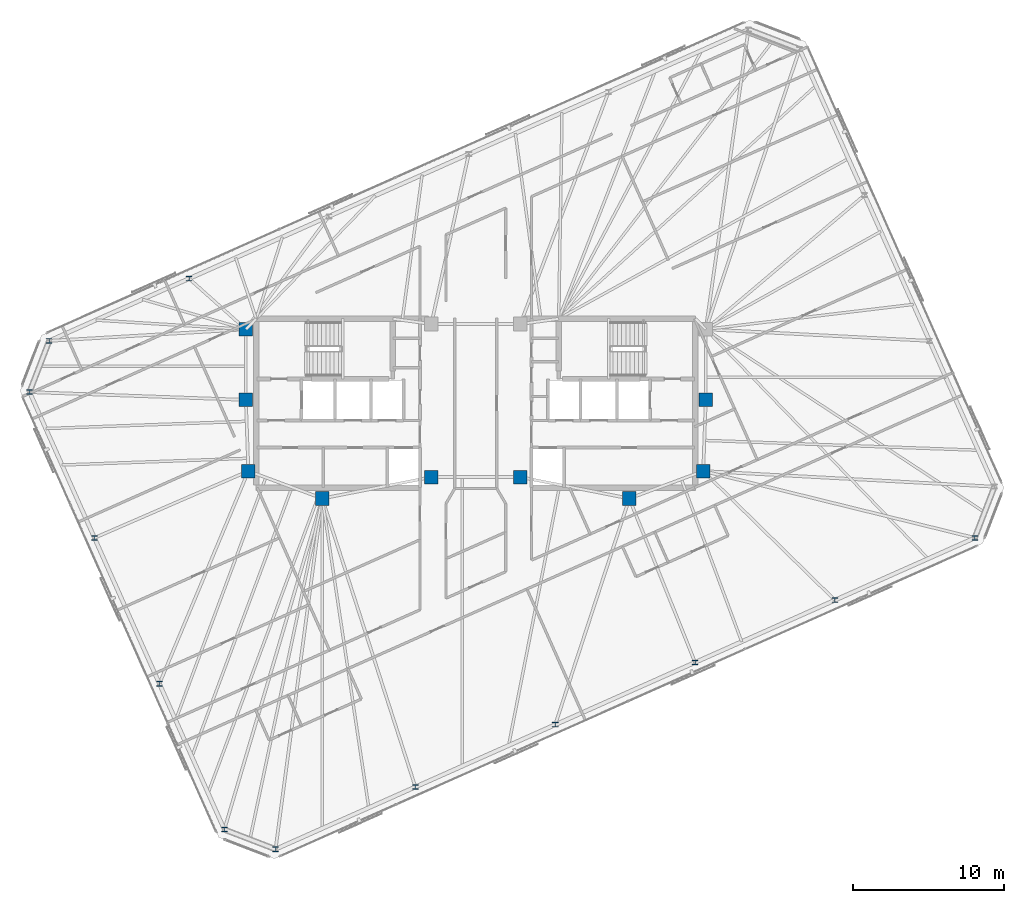
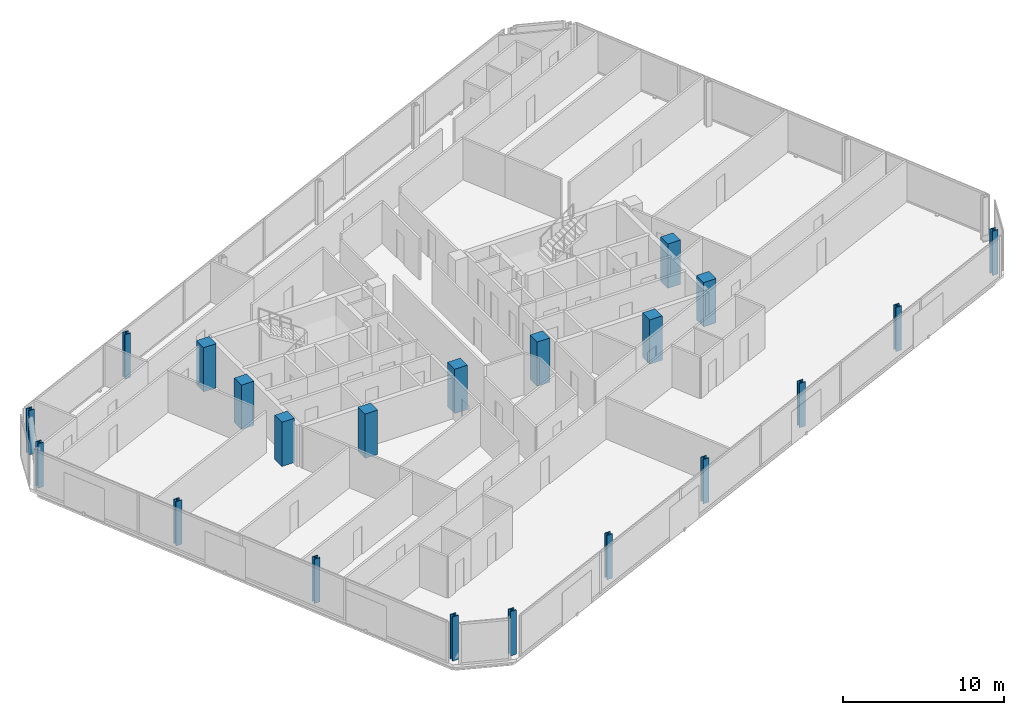
# One storey, part 1 of 18: 21 columns.
"""IFC4 building model written with IfcOpenShell, lengths in metres."""

import ifcopenshell
import ifcopenshell.guid

model = None  # the IFC model being written
_history = None  # IfcOwnerHistory: only IFC2X3 demands one
_inside = {}  # id of a spatial element -> (the spatial element, [elements in it])
_under = {}  # id of a project, library or spatial element -> (it, [spatial elements below it])
_declared = {}  # id of a project -> (the project, [libraries it declares])
_typed = {}  # id of a type object -> (the type object, [elements of that type])
_made_of = {}  # id of a material, layer set ... -> (it, [elements and type objects made of it])


def new_model(schema):
    """Start an empty IFC model of exactly this schema.

    Asked for "IFC4X3", IfcOpenShell would pick the latest addendum, in which some entities
    have other attributes; the version numbers below select the first issue.
    IFC2X3 requires an IfcOwnerHistory on every rooted entity: one is made here for all.
    """
    global model, _history
    if schema == "IFC4X3":
        model = ifcopenshell.file(schema_version=(4, 3, 0, 0))
    else:
        model = ifcopenshell.file(schema=schema)
    _inside.clear()
    _under.clear()
    _declared.clear()
    _typed.clear()
    _made_of.clear()
    _history = None
    if model.schema == "IFC2X3":
        org = make("IfcOrganization", Name="unknown")
        user = make(
            "IfcPersonAndOrganization",
            ThePerson=make("IfcPerson", FamilyName="unknown"),
            TheOrganization=org,
        )
        app = make(
            "IfcApplication",
            ApplicationDeveloper=org,
            Version="unknown",
            ApplicationFullName="unknown",
            ApplicationIdentifier="unknown",
        )
        _history = make(
            "IfcOwnerHistory",
            OwningUser=user,
            OwningApplication=app,
            ChangeAction="ADDED",
            CreationDate=0,
        )
    return model


def make(cls, **values):
    """One entity of the class cls with the attributes given. An attribute that is None is left unset."""
    return model.create_entity(
        cls, **{name: value for name, value in values.items() if value is not None}
    )


def rooted(cls, **values):
    """An entity with a GlobalId (a new one), such as an element, a storey or a relation."""
    return make(cls, GlobalId=ifcopenshell.guid.new(), OwnerHistory=_history, **values)


def si_unit(unit_type, name, prefix=None):
    """IfcSIUnit, for example si_unit("LENGTHUNIT", "METRE", prefix="MILLI")."""
    return make("IfcSIUnit", UnitType=unit_type, Prefix=prefix, Name=name)


def assignment(units):
    """IfcUnitAssignment: the units of a project."""
    return None if units is None else make("IfcUnitAssignment", Units=units)


def point(xyz):
    """IfcCartesianPoint."""
    return None if xyz is None else make("IfcCartesianPoint", Coordinates=xyz)


def direction(xyz):
    """IfcDirection."""
    return None if xyz is None else make("IfcDirection", DirectionRatios=xyz)


def frame(location, z_axis=None, x_axis=None):
    """IfcAxis2Placement3D, a coordinate frame: its origin and axes. An axis left out is left unset."""
    return make(
        "IfcAxis2Placement3D",
        Location=point(location),
        Axis=direction(z_axis),
        RefDirection=direction(x_axis),
    )


def frame_2d(location, x_axis=None):
    """IfcAxis2Placement2D, a coordinate frame in the plane: its origin and x axis."""
    return make(
        "IfcAxis2Placement2D", Location=point(location), RefDirection=direction(x_axis)
    )


def origin():
    """The frame at (0, 0, 0) with its axes left unset."""
    return frame((0.0, 0.0, 0.0))


def origin_2d():
    """The frame at (0, 0) in the plane with its x axis left unset."""
    return frame_2d((0.0, 0.0))


def place(relative_to, where):
    """IfcLocalPlacement: puts the frame where relative to a parent placement (None: the world)."""
    return make(
        "IfcLocalPlacement", PlacementRelTo=relative_to, RelativePlacement=where
    )


def context(
    kind, dimensions, precision=None, world=None, true_north=None, identifier=None
):
    """IfcGeometricRepresentationContext, for example the 3D "Model" context."""
    return make(
        "IfcGeometricRepresentationContext",
        ContextIdentifier=identifier,
        ContextType=kind,
        CoordinateSpaceDimension=dimensions,
        Precision=precision,
        WorldCoordinateSystem=world,
        TrueNorth=true_north,
    )


def subcontext(parent, identifier, kind, view, scale=None):
    """IfcGeometricRepresentationSubContext, for example "Body" below "Model"."""
    return make(
        "IfcGeometricRepresentationSubContext",
        ContextIdentifier=identifier,
        ContextType=kind,
        ParentContext=parent,
        TargetScale=scale,
        TargetView=view,
    )


def project(units=None, contexts=None):
    """IfcProject with its units and contexts."""
    return rooted(
        "IfcProject",
        Name="project",
        RepresentationContexts=contexts,
        UnitsInContext=assignment(units),
    )


def spatial(cls, under=None, at=None, **own):
    """A site, building, storey or space (cls), placed at a placement, below another one or the project."""
    s = rooted(cls, ObjectPlacement=at, **own)
    if under is not None:
        _under.setdefault(under.id(), (under, []))[1].append(s)
    return s


def profile(cls, at=None, kind="AREA", **sizes):
    """A parametric profile (cls). Its sizes go by their IFC names, for example OverallWidth=200.0."""
    return make(cls, ProfileType=kind, Position=at, **sizes)


def rectangle(**sizes):
    """IfcRectangleProfileDef."""
    return profile("IfcRectangleProfileDef", **sizes)


def i_section(**sizes):
    """IfcIShapeProfileDef."""
    return profile("IfcIShapeProfileDef", **sizes)


def extrude(swept, where, along, depth):
    """IfcExtrudedAreaSolid: the profile swept, set in the frame where, extruded along a direction by depth."""
    return make(
        "IfcExtrudedAreaSolid",
        SweptArea=swept,
        Position=where,
        ExtrudedDirection=direction(along),
        Depth=depth,
    )


def shape(context_of_items, identifier, shape_type, items):
    """IfcShapeRepresentation: the items that make up one representation, for example the "Body"."""
    return make(
        "IfcShapeRepresentation",
        ContextOfItems=context_of_items,
        RepresentationIdentifier=identifier,
        RepresentationType=shape_type,
        Items=items,
    )


def material(Name=None, Category=None):
    """IfcMaterial."""
    return make("IfcMaterial", Name=Name, Category=Category)


def material_profile(
    of_material, cross_section, Name=None, Category=None, Priority=None
):
    """IfcMaterialProfile: a cross section and its material."""
    return make(
        "IfcMaterialProfile",
        Name=Name,
        Material=of_material,
        Profile=cross_section,
        Priority=Priority,
        Category=Category,
    )


def profile_set(profiles, Name=None, composite=None):
    """IfcMaterialProfileSet."""
    return make(
        "IfcMaterialProfileSet",
        Name=Name,
        MaterialProfiles=profiles,
        CompositeProfile=composite,
    )


def made_of(thing, what):
    """Note that an element or type object is made of a material, layer set ...; save() writes the relation."""
    if what is not None:
        _made_of.setdefault(what.id(), (what, []))[1].append(thing)
    return thing


def type_object(cls, material=None, **own):
    """A type object (cls), such as IfcWallType, which elements share."""
    return made_of(rooted(cls, **own), material)


def element(
    cls,
    number,
    at=None,
    inside=None,
    cuts=None,
    type_object=None,
    material=None,
    context=None,
    identifier="Body",
    shape_type=None,
    held_by="IfcProductDefinitionShape",
    body=None,
    shapes=None,
    **own,
):
    """One element of the class cls, such as IfcWall. Its Tag is "e" and its number.

    at: its placement. inside: the storey or other place that contains it. cuts: it is an
    opening in that element (IfcRelVoidsElement). A single representation is given by context,
    identifier, shape_type and body (its items); several are given by shapes. held_by: the class
    of the entity that holds the representations. save() writes the other relations.
    """
    e = rooted(cls, Tag="e%d" % number, ObjectPlacement=at, **own)
    if body is not None:
        shapes = [shape(context, identifier, shape_type, body)]
    if shapes is not None:
        e.Representation = make(held_by, Representations=shapes)
    if inside is not None:
        _inside.setdefault(inside.id(), (inside, []))[1].append(e)
    if cuts is not None:
        rooted(
            "IfcRelVoidsElement", RelatingBuildingElement=cuts, RelatedOpeningElement=e
        )
    if type_object is not None:
        _typed.setdefault(type_object.id(), (type_object, []))[1].append(e)
    return made_of(e, material)


def aggregate(whole, parts):
    """IfcRelAggregates: a whole, such as a stair, and the parts it consists of."""
    return rooted("IfcRelAggregates", RelatingObject=whole, RelatedObjects=parts)


def save(model, path):
    """Write the relations noted so far, then the file.

    IfcRelAggregates (storeys below a building ...), IfcRelContainedInSpatialStructure (elements
    in a storey), IfcRelDefinesByType, IfcRelAssociatesMaterial and IfcRelDeclares: one each for
    every whole, place, type object, material and project.
    """
    for whole, parts in _under.values():
        aggregate(whole, parts)
    for where, things in _inside.values():
        rooted(
            "IfcRelContainedInSpatialStructure",
            RelatedElements=things,
            RelatingStructure=where,
        )
    for kind, things in _typed.values():
        rooted("IfcRelDefinesByType", RelatedObjects=things, RelatingType=kind)
    for what, things in _made_of.values():
        rooted("IfcRelAssociatesMaterial", RelatedObjects=things, RelatingMaterial=what)
    for by, libraries in _declared.values():
        rooted("IfcRelDeclares", RelatingContext=by, RelatedDefinitions=libraries)
    model.write(path)


model = new_model("IFC4")

# Units and contexts
model_context = context("Model", 3, precision=1e-05, world=origin(), true_north=direction((0.0, 1.0)))
body_context = subcontext(model_context, "Body", "Model", "MODEL_VIEW")
ifc_project = project(units=[si_unit("LENGTHUNIT", "METRE"), si_unit("AREAUNIT", "SQUARE_METRE"), si_unit("VOLUMEUNIT", "CUBIC_METRE"), si_unit("PLANEANGLEUNIT", "RADIAN"), si_unit("MASSUNIT", "GRAM", prefix="KILO")], contexts=[model_context])

# Site, building, storey
site_placement = place(None, origin())
site = spatial("IfcSite", under=ifc_project, at=site_placement, CompositionType="ELEMENT")
building_placement = place(site_placement, origin())
building = spatial("IfcBuilding", under=site, at=building_placement, Name="Menara Jurai Vektor", CompositionType="ELEMENT")
storey_placement = place(building_placement, frame((0.0, 0.0, 285.25)))
storey = spatial("IfcBuildingStorey", under=building, at=storey_placement, Name="L76", CompositionType="ELEMENT", Elevation=285.25)

# Columns
ifc_material_1 = material(Name="Concrete C50/60", Category="concrete")
ifc_material_profile_1 = material_profile(ifc_material_1, rectangle(XDim=0.89990234375, YDim=0.89990234375, at=origin_2d()), Name="RC 900x900")
ifc_profile_set_1 = profile_set([ifc_material_profile_1], Name="Concrete C50/60")
column_type_1 = type_object("IfcColumnType", Name="STR-COL-RC900", PredefinedType="COLUMN", material=ifc_profile_set_1)
for number, where, z_axis, x_axis, name in (
    (1, (-15.25, 4.89990234375, 0.0), (0.0, 0.0, 1.0), (1.0, 0.0, 0.0), "Core Spine Column CW-NW L76"),
    (2, (-15.25, 0.219970703125, 0.0), (0.0, 0.0, 1.0), (1.0, 0.0, 0.0), "Core Spine Column CW-WM L76"),
    (3, (-15.080078125, -4.5, 0.0), (0.0, 0.0, 1.0), (1.0, 0.0, 0.0), "Core Spine Column CW-SW L76"),
    (4, (-10.179931640625, -6.320068359375, 0.0), (0.0, 0.0, 1.0), (1.0, 0.0, 0.0), "Core Spine Column CW-SM L76"),
    (5, (-2.949951171875, -4.89990234375, 0.0), (0.0, 0.0, 1.0), (1.0, 0.0, 0.0), "Core Spine Column CW-SE L76"),
    (6, (15.25, 0.219970703125, 0.0), (0.0, 0.0, 1.0), (1.0, 0.0, 0.0), "Core Spine Column CE-EM L76"),
    (7, (15.080078125, -4.5, 0.0), (0.0, 0.0, 1.0), (1.0, 0.0, 0.0), "Core Spine Column CE-SE L76"),
    (8, (10.179931640625, -6.320068359375, 0.0), (0.0, 0.0, 1.0), (1.0, 0.0, 0.0), "Core Spine Column CE-SM L76"),
    (9, (2.949951171875, -4.89990234375, 0.0), (0.0, 0.0, 1.0), (1.0, 0.0, 0.0), "Core Spine Column CE-SW L76"),
):
    element("IfcColumn", number, at=place(storey_placement, frame(where, z_axis=z_axis, x_axis=x_axis)), inside=storey, type_object=column_type_1, Name=name, PredefinedType="COLUMN", context=body_context, shape_type="SweptSolid", body=[
        extrude(rectangle(XDim=0.89990234375, YDim=0.89990234375, at=origin_2d()), origin(), (0.0, 0.0, 1.0), 3.35009765625),
    ])
ifc_material_2 = material(Name="Steel S460", Category="steel")
ifc_material_profile_2 = material_profile(ifc_material_2, i_section(OverallWidth=0.40087890625, OverallDepth=0.3349609375, WebThickness=0.035888671875, FlangeThickness=0.05810546875, FilletRadius=0.014892578125, at=origin_2d()), Name="HD 400x463")
ifc_profile_set_2 = profile_set([ifc_material_profile_2], Name="Steel S460")
column_type_2 = type_object("IfcColumnType", Name="STR-EXO-BLK5", PredefinedType="COLUMN", material=ifc_profile_set_2)
for number, where, z_axis, x_axis, name in (
    (10, (-13.279541015625, -29.576904296875, 0.0), (0.0, 0.0, 1.0), (1.0, 0.0, 0.0), "Exoskeleton Column BLK5-S1 L76"),
    (11, (-4.006103515625, -25.4482421875, 0.0), (0.0, 0.0, 1.0), (1.0, 0.0, 0.0), "Exoskeleton Column BLK5-S2 L76"),
    (12, (5.267578125, -21.3193359375, 0.0), (0.0, 0.0, 1.0), (1.0, 0.0, 0.0), "Exoskeleton Column BLK5-S3 L76"),
    (13, (14.541015625, -17.1904296875, 0.0), (0.0, 0.0, 1.0), (1.0, 0.0, 0.0), "Exoskeleton Column BLK5-S4 L76"),
    (14, (23.814453125, -13.061767578125, 0.0), (0.0, 0.0, 1.0), (1.0, 0.0, 0.0), "Exoskeleton Column BLK5-S5 L76"),
    (15, (33.088134765625, -8.932861328125, 0.0), (0.0, 0.0, 1.0), (1.0, 0.0, 0.0), "Exoskeleton Column BLK5-S6 L76"),
    (16, (-19.0146484375, 8.26171875, 0.0), (0.0, 0.0, 1.0), (1.0, 0.0, 0.0), "Exoskeleton Column BLK5-N5 L76"),
    (17, (-28.2880859375, 4.1328125, 0.0), (0.0, 0.0, 1.0), (1.0, 0.0, 0.0), "Exoskeleton Column BLK5-N6 L76"),
    (18, (-29.591796875, 0.73681640625, 0.0), (0.0, 0.0, 1.0), (1.0, 0.0, 0.0), "Exoskeleton Column BLK5-W1 L76"),
    (19, (-25.286376953125, -8.933349609375, 0.0), (0.0, 0.0, 1.0), (1.0, 0.0, 0.0), "Exoskeleton Column BLK5-W2 L76"),
    (20, (-20.98095703125, -18.603271484375, 0.0), (0.0, 0.0, 1.0), (1.0, 0.0, 0.0), "Exoskeleton Column BLK5-W3 L76"),
    (21, (-16.675537109375, -28.2734375, 0.0), (0.0, 0.0, 1.0), (1.0, 0.0, 0.0), "Exoskeleton Column BLK5-W4 L76"),
):
    element("IfcColumn", number, at=place(storey_placement, frame(where, z_axis=z_axis, x_axis=x_axis)), inside=storey, type_object=column_type_2, Name=name, PredefinedType="COLUMN", context=body_context, shape_type="SweptSolid", body=[
        extrude(i_section(OverallWidth=0.40087890625, OverallDepth=0.3349609375, WebThickness=0.035888671875, FlangeThickness=0.05810546875, FilletRadius=0.014892578125, at=origin_2d()), origin(), (0.0, 0.0, 1.0), 3.35009765625),
    ])

save(model, "model.ifc")
